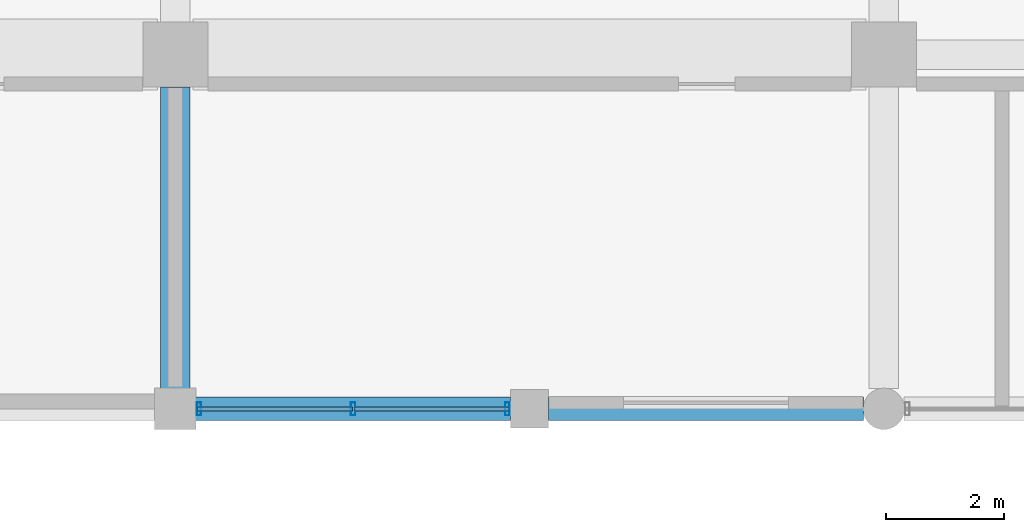
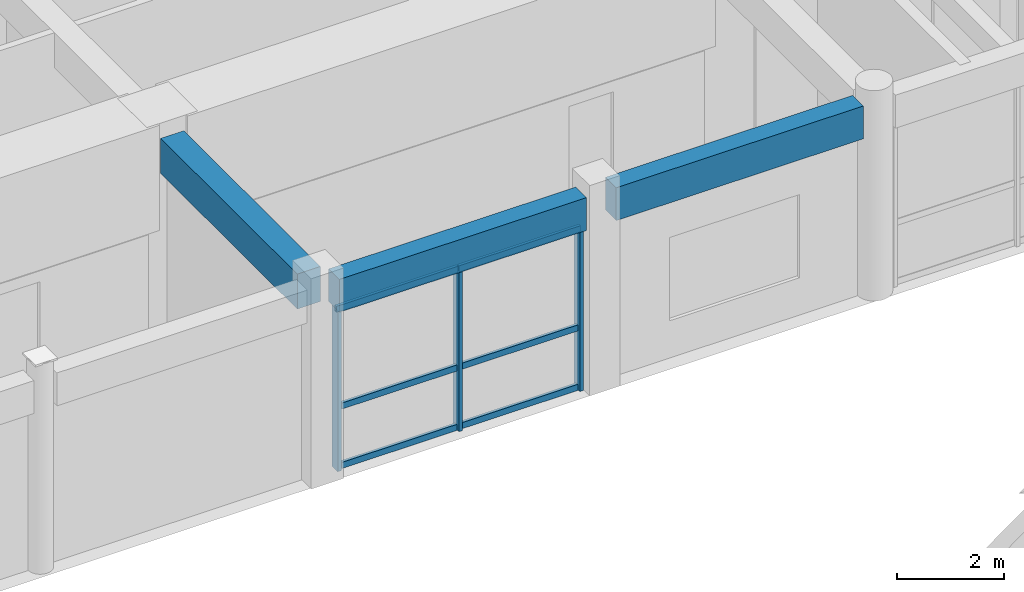
# One storey, part 53 of 123: 9 members, 3 beams, 1 element without a shape of its own.
"""IFC4 building model written with IfcOpenShell, lengths in metres."""

from ifc_helpers import new_model, si_unit, direction, frame, origin, origin_2d, place, context, subcontext, project, spatial, rectangle, hollow_rectangle, extrude, material, material_profile, profile_set, type_object, element, aggregate, save


model = new_model("IFC4")

# Units and contexts
model_context = context("Model", 3, precision=1e-05, world=origin(), true_north=direction((0.0, 1.0)))
body_context = subcontext(model_context, "Body", "Model", "MODEL_VIEW")
ifc_project = project(units=[si_unit("LENGTHUNIT", "METRE"), si_unit("AREAUNIT", "SQUARE_METRE"), si_unit("VOLUMEUNIT", "CUBIC_METRE"), si_unit("PLANEANGLEUNIT", "RADIAN"), si_unit("MASSUNIT", "GRAM", prefix="KILO"), si_unit("THERMODYNAMICTEMPERATUREUNIT", "KELVIN"), si_unit("POWERUNIT", "WATT")], contexts=[model_context])

# Site, building, storey
site_placement = place(None, origin())
site = spatial("IfcSite", under=ifc_project, at=site_placement, CompositionType="ELEMENT")
building_placement = place(site_placement, origin())
building = spatial("IfcBuilding", under=site, at=building_placement, Name="Phaisarnlok Congress Hotel", CompositionType="ELEMENT")
storey_placement = place(building_placement, frame((0.0, 0.0, 15.0)))
storey = spatial("IfcBuildingStorey", under=building, at=storey_placement, Name="L03", CompositionType="ELEMENT", Elevation=15.0)

# Beam
ifc_material_1 = material(Name="Concrete C40/50", Category="concrete")
ifc_material_profile_1 = material_profile(ifc_material_1, rectangle(XDim=0.5, YDim=0.800048828125, at=origin_2d()), Name="RC 500x800")
ifc_profile_set_1 = profile_set([ifc_material_profile_1], Name="Concrete C40/50")
beam_type_1 = type_object("IfcBeamType", Name="BM-RC-500x800", PredefinedType="BEAM", material=ifc_profile_set_1)
beam_placement = place(storey_placement, frame((84.0, 108.344970703125, 4.050048828125), z_axis=(0.0, 1.0, 0.0), x_axis=(-1.0, 0.0, 0.0)))
element("IfcBeam", 1, at=beam_placement, inside=storey, type_object=beam_type_1, Name="Beam B-04", PredefinedType="BEAM", context=body_context, shape_type="SweptSolid", body=[
    extrude(rectangle(XDim=0.5, YDim=0.800048828125, at=origin_2d()), origin(), (0.0, 0.0, 1.0), 5.110107421875),
])

# Curtain wall, members
ifc_material_2 = material(Name="Thermally Broken Unitised Aluminium & Low-E Glazing", Category="aluminium")
curtain_wall_type = type_object("IfcCurtainWallType", Name="CW-UNIT-30", PredefinedType="NOTDEFINED", material=ifc_material_2)
curtain_wall_placement = place(storey_placement, origin())
curtain_wall = element("IfcCurtainWall", 2, at=curtain_wall_placement, inside=storey, type_object=curtain_wall_type, Name="Unitised curtain wall CW-30 (L03)", PredefinedType="NOTDEFINED")
ifc_material_3 = material(Name="Anodised Aluminium Alloy 6063-T6", Category="aluminium")
ifc_material_profile_2 = material_profile(ifc_material_3, hollow_rectangle(XDim=0.074951171875, YDim=0.219970703125, WallThickness=0.0048828125, at=origin_2d()), Name="ALU-M 75x220x5")
ifc_profile_set_2 = profile_set([ifc_material_profile_2], Name="Anodised Aluminium Alloy 6063-T6")
member_type_1 = type_object("IfcMemberType", Name="CWM-220", PredefinedType="MULLION", material=ifc_profile_set_2)
member_1_placement = place(storey_placement, frame((84.39990234375, 108.0, 0.0), z_axis=(0.0, 0.0, 1.0), x_axis=(1.0, 0.0, 0.0)))
member_1 = element("IfcMember", 3, at=member_1_placement, type_object=member_type_1, Name="Curtain wall mullion CWM-02", PredefinedType="MULLION", context=body_context, shape_type="SweptSolid", body=[
    extrude(hollow_rectangle(XDim=0.074951171875, YDim=0.219970703125, WallThickness=0.0048828125, at=origin_2d()), origin(), (0.0, 0.0, 1.0), 3.699951171875),
])
member_2_placement = place(storey_placement, frame((87.012451171875, 108.0, 0.0), z_axis=(0.0, 0.0, 1.0), x_axis=(1.0, 0.0, 0.0)))
member_2 = element("IfcMember", 4, at=member_2_placement, type_object=member_type_1, Name="Curtain wall mullion CWM-02", PredefinedType="MULLION", context=body_context, shape_type="SweptSolid", body=[
    extrude(hollow_rectangle(XDim=0.074951171875, YDim=0.219970703125, WallThickness=0.0048828125, at=origin_2d()), origin(), (0.0, 0.0, 1.0), 3.699951171875),
])
member_3_placement = place(storey_placement, frame((89.625, 108.0, 0.0), z_axis=(0.0, 0.0, 1.0), x_axis=(1.0, 0.0, 0.0)))
member_3 = element("IfcMember", 5, at=member_3_placement, type_object=member_type_1, Name="Curtain wall mullion CWM-02", PredefinedType="MULLION", context=body_context, shape_type="SweptSolid", body=[
    extrude(hollow_rectangle(XDim=0.074951171875, YDim=0.219970703125, WallThickness=0.0048828125, at=origin_2d()), origin(), (0.0, 0.0, 1.0), 3.699951171875),
])
ifc_material_profile_3 = material_profile(ifc_material_3, hollow_rectangle(XDim=0.06494140625, YDim=0.139892578125, WallThickness=0.00390625, at=origin_2d()), Name="ALU-T 65x140x4")
ifc_profile_set_3 = profile_set([ifc_material_profile_3], Name="Anodised Aluminium Alloy 6063-T6")
member_type_2 = type_object("IfcMemberType", Name="CWT-150", PredefinedType="USERDEFINED", material=ifc_profile_set_3)
member_4_placement = place(storey_placement, frame((84.375, 108.0, 0.050048828125), z_axis=(1.0, 0.0, 0.0), x_axis=(0.0, 1.0, 0.0)))
member_4 = element("IfcMember", 6, at=member_4_placement, type_object=member_type_2, Name="Curtain wall transom CWT-01", ObjectType="TRANSOM", PredefinedType="USERDEFINED", context=body_context, shape_type="SweptSolid", body=[
    extrude(hollow_rectangle(XDim=0.06494140625, YDim=0.139892578125, WallThickness=0.00390625, at=origin_2d()), origin(), (0.0, 0.0, 1.0), 2.62255859375),
])
member_5_placement = place(storey_placement, frame((84.375, 108.0, 1.406005859375), z_axis=(1.0, 0.0, 0.0), x_axis=(0.0, 1.0, 0.0)))
member_5 = element("IfcMember", 7, at=member_5_placement, type_object=member_type_2, Name="Curtain wall transom CWT-01", ObjectType="TRANSOM", PredefinedType="USERDEFINED", context=body_context, shape_type="SweptSolid", body=[
    extrude(hollow_rectangle(XDim=0.06494140625, YDim=0.139892578125, WallThickness=0.00390625, at=origin_2d()), origin(), (0.0, 0.0, 1.0), 2.62255859375),
])
member_6_placement = place(storey_placement, frame((84.375, 108.0, 3.64990234375), z_axis=(1.0, 0.0, 0.0), x_axis=(0.0, 1.0, 0.0)))
member_6 = element("IfcMember", 8, at=member_6_placement, type_object=member_type_2, Name="Curtain wall transom CWT-01", ObjectType="TRANSOM", PredefinedType="USERDEFINED", context=body_context, shape_type="SweptSolid", body=[
    extrude(hollow_rectangle(XDim=0.06494140625, YDim=0.139892578125, WallThickness=0.00390625, at=origin_2d()), origin(), (0.0, 0.0, 1.0), 2.62255859375),
])
member_7_placement = place(storey_placement, frame((87.027587890625, 108.0, 0.050048828125), z_axis=(1.0, 0.0, 0.0), x_axis=(0.0, 1.0, 0.0)))
member_7 = element("IfcMember", 9, at=member_7_placement, type_object=member_type_2, Name="Curtain wall transom CWT-01", ObjectType="TRANSOM", PredefinedType="USERDEFINED", context=body_context, shape_type="SweptSolid", body=[
    extrude(hollow_rectangle(XDim=0.06494140625, YDim=0.139892578125, WallThickness=0.00390625, at=origin_2d()), origin(), (0.0, 0.0, 1.0), 2.622314453125),
])
member_8_placement = place(storey_placement, frame((87.027587890625, 108.0, 1.406005859375), z_axis=(1.0, 0.0, 0.0), x_axis=(0.0, 1.0, 0.0)))
member_8 = element("IfcMember", 10, at=member_8_placement, type_object=member_type_2, Name="Curtain wall transom CWT-01", ObjectType="TRANSOM", PredefinedType="USERDEFINED", context=body_context, shape_type="SweptSolid", body=[
    extrude(hollow_rectangle(XDim=0.06494140625, YDim=0.139892578125, WallThickness=0.00390625, at=origin_2d()), origin(), (0.0, 0.0, 1.0), 2.622314453125),
])
member_9_placement = place(storey_placement, frame((87.027587890625, 108.0, 3.64990234375), z_axis=(1.0, 0.0, 0.0), x_axis=(0.0, 1.0, 0.0)))
member_9 = element("IfcMember", 11, at=member_9_placement, type_object=member_type_2, Name="Curtain wall transom CWT-01", ObjectType="TRANSOM", PredefinedType="USERDEFINED", context=body_context, shape_type="SweptSolid", body=[
    extrude(hollow_rectangle(XDim=0.06494140625, YDim=0.139892578125, WallThickness=0.00390625, at=origin_2d()), origin(), (0.0, 0.0, 1.0), 2.622314453125),
])
aggregate(curtain_wall, [member_1, member_2, member_3, member_4, member_5, member_6, member_7, member_8, member_9])

# Beams
ifc_material_profile_4 = material_profile(ifc_material_1, rectangle(XDim=0.39990234375, YDim=0.75, at=origin_2d()), Name="RC 400x750")
ifc_profile_set_4 = profile_set([ifc_material_profile_4], Name="Concrete C40/50")
beam_type_2 = type_object("IfcBeamType", Name="SP-RC-400x750", PredefinedType="SPANDREL", material=ifc_profile_set_4)
for number, where, z_axis, x_axis, name in (
    (12, (84.344970703125, 108.0, 4.074951171875), (1.0, 0.0, 0.0), (0.0, 1.0, 0.0), "Beam SP-02"),
    (13, (90.320068359375, 108.0, 4.074951171875), (1.0, 0.0, 0.0), (0.0, 1.0, 0.0), "Beam SP-02"),
):
    element("IfcBeam", number, at=place(storey_placement, frame(where, z_axis=z_axis, x_axis=x_axis)), inside=storey, type_object=beam_type_2, Name=name, PredefinedType="SPANDREL", context=body_context, shape_type="SweptSolid", body=[
        extrude(rectangle(XDim=0.39990234375, YDim=0.75, at=origin_2d()), origin(), (0.0, 0.0, 1.0), 5.3349609375),
    ])

save(model, "model.ifc")
